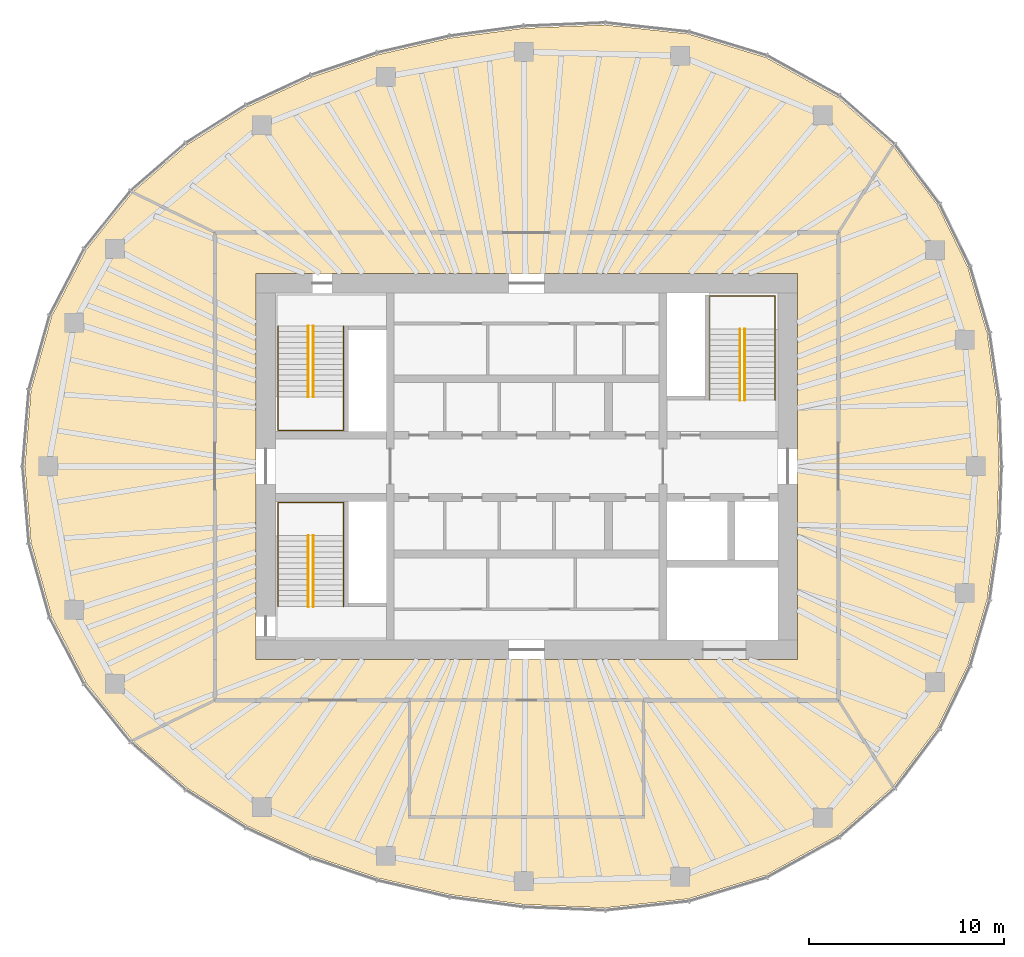
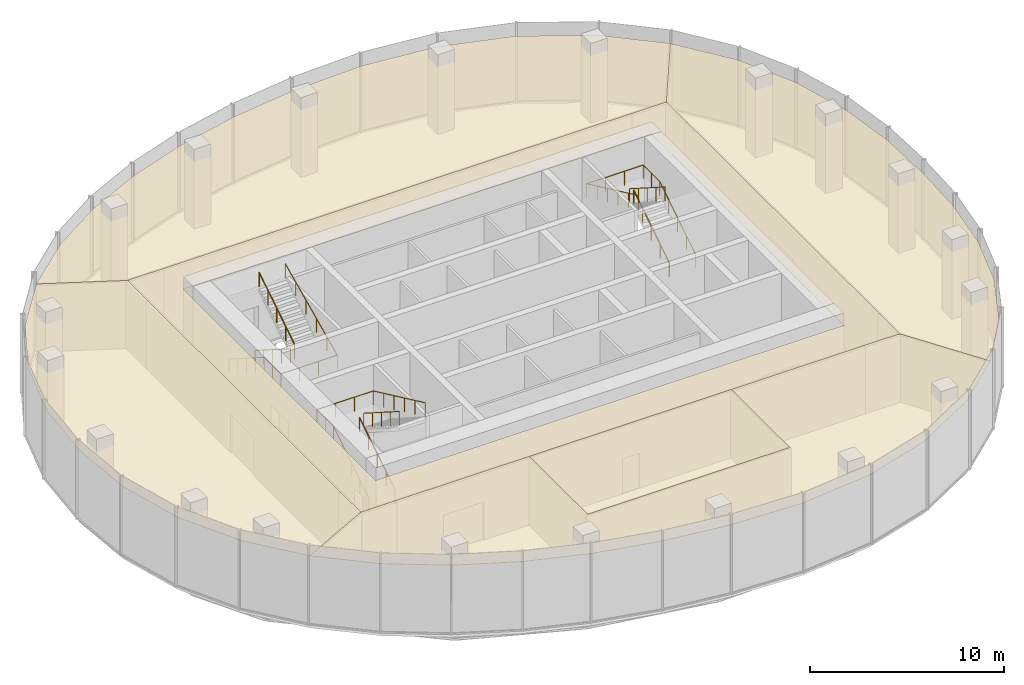
# One storey, part 11 of 11: 9 railings, 6 coverings.
"""IFC4 building model written with IfcOpenShell, lengths in metres."""

from ifc_helpers import new_model, si_unit, direction, frame, origin, origin_2d, place, context, subcontext, project, spatial, polyline, circle, outline, extrude, material, layer, layer_set, type_object, element, save


model = new_model("IFC4")

# Units and contexts
model_context = context("Model", 3, precision=1e-05, world=origin(), true_north=direction((0.0, 1.0)))
body_context = subcontext(model_context, "Body", "Model", "MODEL_VIEW")
ifc_project = project(units=[si_unit("LENGTHUNIT", "METRE"), si_unit("AREAUNIT", "SQUARE_METRE"), si_unit("VOLUMEUNIT", "CUBIC_METRE"), si_unit("PLANEANGLEUNIT", "RADIAN"), si_unit("MASSUNIT", "GRAM", prefix="KILO")], contexts=[model_context])

# Site, building, storey
site_placement = place(None, origin())
site = spatial("IfcSite", under=ifc_project, at=site_placement, CompositionType="ELEMENT")
building_placement = place(site_placement, origin())
building = spatial("IfcBuilding", under=site, at=building_placement, Name="Ghaith Harvest Tower", CompositionType="ELEMENT")
storey_placement = place(building_placement, frame((0.0, 0.0, 344.199951171875)))
storey = spatial("IfcBuildingStorey", under=building, at=storey_placement, Name="L77", CompositionType="ELEMENT", Elevation=344.199951171875)

# Coverings
ifc_material_1 = material(Name="Mineral fibre ceiling tile", Category="gypsum")
ifc_layer = layer(ifc_material_1, 0.02490234375)
ifc_layer_set = layer_set([ifc_layer], Name="CEILING C2")
covering_type = type_object("IfcCoveringType", Name="CEILING C2", PredefinedType="CEILING", material=ifc_layer_set)
covering_1_placement = place(storey_placement, frame((0.0, 0.0, 4.199951171875)))
element("IfcCovering", 1, at=covering_1_placement, inside=storey, type_object=covering_type, Name="Ceiling L77-01", PredefinedType="CEILING", context=body_context, shape_type="SweptSolid", body=[
    extrude(outline(polyline([(-6.0, -18.0), (6.0, -18.0), (6.0, -12.0), (-6.0, -12.0), (-6.0, -18.0)])), origin(), (0.0, 0.0, 1.0), 0.025146484375),
])
covering_2_placement = place(storey_placement, frame((0.0, 0.0, 4.199951171875)))
element("IfcCovering", 2, at=covering_2_placement, inside=storey, type_object=covering_type, Name="Ceiling L77-C1", PredefinedType="CEILING", context=body_context, shape_type="SweptSolid", body=[
    extrude(outline(polyline([(16.0, -12.0), (-16.0, -12.0), (-16.0, 12.0), (16.0, 12.0), (16.0, -12.0)]), holes=[polyline([(-13.89990234375, 9.89990234375), (-13.89990234375, -9.89990234375), (13.89990234375, -9.89990234375), (13.89990234375, 9.89990234375), (-13.89990234375, 9.89990234375)])]), origin(), (0.0, 0.0, 1.0), 0.025146484375),
])
covering_3_placement = place(storey_placement, frame((0.0, 0.0, 4.199951171875)))
element("IfcCovering", 3, at=covering_3_placement, inside=storey, type_object=covering_type, Name="Ceiling L77-N1", PredefinedType="CEILING", context=body_context, shape_type="SweptSolid", body=[
    extrude(outline(polyline([(-17.40771484375, 16.518310546875), (-14.331298828125, 18.452880859375), (-11.009521484375, 19.98779296875), (-7.6298828125, 21.12548828125), (-3.92529296875, 21.98046875), (-0.15380859375, 22.486083984375), (4.016845703125, 22.658447265625), (8.2978515625, 22.1962890625), (12.273681640625, 20.98828125), (15.971923828125, 18.940185546875), (18.810791015625, 16.4482421875), (16.0, 12.0), (-16.0, 12.0), (-20.225830078125, 14.0732421875), (-17.40771484375, 16.518310546875)])), origin(), (0.0, 0.0, 1.0), 0.025146484375),
])
covering_4_placement = place(storey_placement, frame((0.0, 0.0, 4.199951171875)))
element("IfcCovering", 4, at=covering_4_placement, inside=storey, type_object=covering_type, Name="Ceiling L77-E1", PredefinedType="CEILING", context=body_context, shape_type="SweptSolid", body=[
    extrude(outline(polyline([(21.087890625, -13.42041015625), (18.810791015625, -16.4482421875), (16.0, -12.0), (16.0, 12.0), (18.810791015625, 16.4482421875), (21.087890625, 13.42041015625), (22.644775390625, 10.222900390625), (23.6376953125, 6.831787109375), (24.129150390625, 3.4169921875), (24.25, 0.0), (24.129150390625, -3.4169921875), (23.6376953125, -6.831787109375), (22.644775390625, -10.222900390625), (21.087890625, -13.42041015625)])), origin(), (0.0, 0.0, 1.0), 0.025146484375),
])
covering_5_placement = place(storey_placement, frame((0.0, 0.0, 4.199951171875)))
element("IfcCovering", 5, at=covering_5_placement, inside=storey, type_object=covering_type, Name="Ceiling L77-S1", PredefinedType="CEILING", context=body_context, shape_type="SweptSolid", body=[
    extrude(outline(polyline([(15.971923828125, -18.940185546875), (12.273681640625, -20.98828125), (8.2978515625, -22.1962890625), (4.016845703125, -22.658447265625), (-0.15380859375, -22.486083984375), (-3.92529296875, -21.98046875), (-7.6298828125, -21.12548828125), (-11.009521484375, -19.98779296875), (-14.331298828125, -18.452880859375), (-17.40771484375, -16.518310546875), (-20.225830078125, -14.0732421875), (-16.0, -12.0), (-6.0, -12.0), (-6.0, -18.0), (6.0, -18.0), (6.0, -12.0), (16.0, -12.0), (18.810791015625, -16.4482421875), (15.971923828125, -18.940185546875)])), origin(), (0.0, 0.0, 1.0), 0.025146484375),
])
covering_6_placement = place(storey_placement, frame((0.0, 0.0, 4.199951171875)))
element("IfcCovering", 6, at=covering_6_placement, inside=storey, type_object=covering_type, Name="Ceiling L77-W1", PredefinedType="CEILING", context=body_context, shape_type="SweptSolid", body=[
    extrude(outline(polyline([(-22.5986328125, -11.12353515625), (-24.368408203125, -7.722900390625), (-25.43310546875, -3.93359375), (-25.75, 0.0), (-25.43310546875, 3.93359375), (-24.368408203125, 7.722900390625), (-22.5986328125, 11.12353515625), (-20.225830078125, 14.0732421875), (-16.0, 12.0), (-16.0, -12.0), (-20.225830078125, -14.0732421875), (-22.5986328125, -11.12353515625)])), origin(), (0.0, 0.0, 1.0), 0.025146484375),
])

# Railings
ifc_material_2 = material(Name="Steel, black powder-coated", Category="steel")
railing_type = type_object("IfcRailingType", Name="HANDRAIL HR1", PredefinedType="HANDRAIL", material=ifc_material_2)
railing_1_placement = place(storey_placement, frame((-11.199951171875, 7.199951171875, 0.1787109375)))
element("IfcRailing", 7, at=railing_1_placement, inside=storey, type_object=railing_type, Name="Handrail HR1 stair ST1 L77 flight 1 inner", PredefinedType="HANDRAIL", context=body_context, shape_type="SweptSolid", body=[
    extrude(circle(Radius=0.02392578125, at=origin_2d()), frame((0.0, 0.0, 0.8759765625), z_axis=(0.0, -0.843137146238, 0.537698570422), x_axis=(1.0, 0.0, 0.0)), (0.0, 0.0, 1.0), 4.317138671875),
    extrude(circle(Radius=0.02099609375, at=origin_2d()), origin(), (0.0, 0.0, 1.0), 0.851806640625),
    extrude(circle(Radius=0.02099609375, at=origin_2d()), frame((0.0, -0.909912109375, 0.580322265625)), (0.0, 0.0, 1.0), 0.851806640625),
    extrude(circle(Radius=0.02099609375, at=origin_2d()), frame((0.0, -1.81982421875, 1.16064453125)), (0.0, 0.0, 1.0), 0.851806640625),
    extrude(circle(Radius=0.02099609375, at=origin_2d()), frame((0.0, -2.72998046875, 1.740966796875)), (0.0, 0.0, 1.0), 0.851806640625),
    extrude(circle(Radius=0.02099609375, at=origin_2d()), frame((0.0, -3.639892578125, 2.3212890625)), (0.0, 0.0, 1.0), 0.851806640625),
])
railing_2_placement = place(storey_placement, frame((-10.949951171875, 3.56005859375, 2.6787109375)))
element("IfcRailing", 8, at=railing_2_placement, inside=storey, type_object=railing_type, Name="Handrail HR1 stair ST1 L77 flight 2 inner", PredefinedType="HANDRAIL", context=body_context, shape_type="SweptSolid", body=[
    extrude(circle(Radius=0.02392578125, at=origin_2d()), frame((0.0, 0.0, 0.8759765625), z_axis=(0.0, 0.843137146238, 0.537698570422), x_axis=(-1.0, 0.0, 0.0)), (0.0, 0.0, 1.0), 4.317138671875),
    extrude(circle(Radius=0.02099609375, at=origin_2d()), origin(), (0.0, 0.0, 1.0), 0.851806640625),
    extrude(circle(Radius=0.02099609375, at=origin_2d()), frame((0.0, 0.909912109375, 0.580322265625)), (0.0, 0.0, 1.0), 0.851806640625),
    extrude(circle(Radius=0.02099609375, at=origin_2d()), frame((0.0, 1.81982421875, 1.16064453125)), (0.0, 0.0, 1.0), 0.851806640625),
    extrude(circle(Radius=0.02099609375, at=origin_2d()), frame((0.0, 2.72998046875, 1.740966796875)), (0.0, 0.0, 1.0), 0.851806640625),
    extrude(circle(Radius=0.02099609375, at=origin_2d()), frame((0.0, 3.639892578125, 2.3212890625)), (0.0, 0.0, 1.0), 0.851806640625),
])
railing_3_placement = place(storey_placement, frame((-12.75, 7.199951171875, 0.1787109375)))
element("IfcRailing", 9, at=railing_3_placement, inside=storey, type_object=railing_type, Name="Handrail HR1 stair ST1 L77 wall side", PredefinedType="HANDRAIL", context=body_context, shape_type="SweptSolid", body=[
    extrude(circle(Radius=0.02392578125, at=origin_2d()), frame((0.0, 0.0, 0.8759765625), z_axis=(0.0, -0.843137146238, 0.537698570422), x_axis=(1.0, 0.0, 0.0)), (0.0, 0.0, 1.0), 4.317138671875),
    extrude(circle(Radius=0.02392578125, at=origin_2d()), frame((0.0, -3.639892578125, 3.197265625), z_axis=(0.0, -1.0, 0.0), x_axis=(1.0, 0.0, 0.0)), (0.0, 0.0, 1.0), 1.7099609375),
    extrude(circle(Radius=0.02392578125, at=origin_2d()), frame((0.0, -5.349853515625, 3.197265625), z_axis=(1.0, 0.0, 0.0), x_axis=(0.0, 1.0, 0.0)), (0.0, 0.0, 1.0), 3.35009765625),
    extrude(circle(Radius=0.02392578125, at=origin_2d()), frame((3.35009765625, -5.349853515625, 3.197265625), z_axis=(0.0, 0.905962265858, 0.423358444868), x_axis=(-1.0, 0.0, 0.0)), (0.0, 0.0, 1.0), 5.9052734375),
    extrude(circle(Radius=0.02099609375, at=origin_2d()), origin(), (0.0, 0.0, 1.0), 0.851806640625),
    extrude(circle(Radius=0.02099609375, at=origin_2d()), frame((0.0, -0.909912109375, 0.580322265625)), (0.0, 0.0, 1.0), 0.851806640625),
    extrude(circle(Radius=0.02099609375, at=origin_2d()), frame((0.0, -1.81982421875, 1.16064453125)), (0.0, 0.0, 1.0), 0.851806640625),
    extrude(circle(Radius=0.02099609375, at=origin_2d()), frame((0.0, -2.72998046875, 1.740966796875)), (0.0, 0.0, 1.0), 0.851806640625),
    extrude(circle(Radius=0.02099609375, at=origin_2d()), frame((0.0, -3.639892578125, 2.3212890625)), (0.0, 0.0, 1.0), 0.851806640625),
    extrude(circle(Radius=0.02099609375, at=origin_2d()), frame((0.0, -4.494873046875, 2.3212890625)), (0.0, 0.0, 1.0), 0.851806640625),
    extrude(circle(Radius=0.02099609375, at=origin_2d()), frame((0.0, -5.349853515625, 2.3212890625)), (0.0, 0.0, 1.0), 0.851806640625),
    extrude(circle(Radius=0.02099609375, at=origin_2d()), frame((1.11669921875, -5.349853515625, 2.3212890625)), (0.0, 0.0, 1.0), 0.851806640625),
    extrude(circle(Radius=0.02099609375, at=origin_2d()), frame((2.2333984375, -5.349853515625, 2.3212890625)), (0.0, 0.0, 1.0), 0.851806640625),
    extrude(circle(Radius=0.02099609375, at=origin_2d()), frame((3.35009765625, -5.349853515625, 2.3212890625)), (0.0, 0.0, 1.0), 0.851806640625),
    extrude(circle(Radius=0.02099609375, at=origin_2d()), frame((3.35009765625, -4.27978515625, 2.8212890625)), (0.0, 0.0, 1.0), 0.851806640625),
    extrude(circle(Radius=0.02099609375, at=origin_2d()), frame((3.35009765625, -3.2099609375, 3.3212890625)), (0.0, 0.0, 1.0), 0.851806640625),
    extrude(circle(Radius=0.02099609375, at=origin_2d()), frame((3.35009765625, -2.139892578125, 3.8212890625)), (0.0, 0.0, 1.0), 0.851806640625),
    extrude(circle(Radius=0.02099609375, at=origin_2d()), frame((3.35009765625, -1.070068359375, 4.3212890625)), (0.0, 0.0, 1.0), 0.851806640625),
    extrude(circle(Radius=0.02099609375, at=origin_2d()), frame((3.35009765625, 0.0, 4.8212890625)), (0.0, 0.0, 1.0), 0.851806640625),
])
railing_4_placement = place(storey_placement, frame((-11.199951171875, -7.199951171875, 0.1787109375)))
element("IfcRailing", 10, at=railing_4_placement, inside=storey, type_object=railing_type, Name="Handrail HR1 stair ST3 L77 flight 1 inner", PredefinedType="HANDRAIL", context=body_context, shape_type="SweptSolid", body=[
    extrude(circle(Radius=0.02392578125, at=origin_2d()), frame((0.0, 0.0, 0.8759765625), z_axis=(0.0, 0.843137146238, 0.537698570422), x_axis=(-1.0, 0.0, 0.0)), (0.0, 0.0, 1.0), 4.317138671875),
    extrude(circle(Radius=0.02099609375, at=origin_2d()), origin(), (0.0, 0.0, 1.0), 0.851806640625),
    extrude(circle(Radius=0.02099609375, at=origin_2d()), frame((0.0, 0.909912109375, 0.580322265625)), (0.0, 0.0, 1.0), 0.851806640625),
    extrude(circle(Radius=0.02099609375, at=origin_2d()), frame((0.0, 1.81982421875, 1.16064453125)), (0.0, 0.0, 1.0), 0.851806640625),
    extrude(circle(Radius=0.02099609375, at=origin_2d()), frame((0.0, 2.72998046875, 1.740966796875)), (0.0, 0.0, 1.0), 0.851806640625),
    extrude(circle(Radius=0.02099609375, at=origin_2d()), frame((0.0, 3.639892578125, 2.3212890625)), (0.0, 0.0, 1.0), 0.851806640625),
])
railing_5_placement = place(storey_placement, frame((-10.949951171875, -3.56005859375, 2.6787109375)))
element("IfcRailing", 11, at=railing_5_placement, inside=storey, type_object=railing_type, Name="Handrail HR1 stair ST3 L77 flight 2 inner", PredefinedType="HANDRAIL", context=body_context, shape_type="SweptSolid", body=[
    extrude(circle(Radius=0.02392578125, at=origin_2d()), frame((0.0, 0.0, 0.8759765625), z_axis=(0.0, -0.843137146238, 0.537698570422), x_axis=(1.0, 0.0, 0.0)), (0.0, 0.0, 1.0), 4.317138671875),
    extrude(circle(Radius=0.02099609375, at=origin_2d()), origin(), (0.0, 0.0, 1.0), 0.851806640625),
    extrude(circle(Radius=0.02099609375, at=origin_2d()), frame((0.0, -0.909912109375, 0.580322265625)), (0.0, 0.0, 1.0), 0.851806640625),
    extrude(circle(Radius=0.02099609375, at=origin_2d()), frame((0.0, -1.81982421875, 1.16064453125)), (0.0, 0.0, 1.0), 0.851806640625),
    extrude(circle(Radius=0.02099609375, at=origin_2d()), frame((0.0, -2.72998046875, 1.740966796875)), (0.0, 0.0, 1.0), 0.851806640625),
    extrude(circle(Radius=0.02099609375, at=origin_2d()), frame((0.0, -3.639892578125, 2.3212890625)), (0.0, 0.0, 1.0), 0.851806640625),
])
railing_6_placement = place(storey_placement, frame((-12.75, -7.199951171875, 0.1787109375)))
element("IfcRailing", 12, at=railing_6_placement, inside=storey, type_object=railing_type, Name="Handrail HR1 stair ST3 L77 wall side", PredefinedType="HANDRAIL", context=body_context, shape_type="SweptSolid", body=[
    extrude(circle(Radius=0.02392578125, at=origin_2d()), frame((0.0, 0.0, 0.8759765625), z_axis=(0.0, 0.843137146238, 0.537698570422), x_axis=(-1.0, 0.0, 0.0)), (0.0, 0.0, 1.0), 4.317138671875),
    extrude(circle(Radius=0.02392578125, at=origin_2d()), frame((0.0, 3.639892578125, 3.197265625), z_axis=(0.0, 1.0, 0.0), x_axis=(-1.0, 0.0, 0.0)), (0.0, 0.0, 1.0), 1.7099609375),
    extrude(circle(Radius=0.02392578125, at=origin_2d()), frame((0.0, 5.349853515625, 3.197265625), z_axis=(1.0, 0.0, 0.0), x_axis=(0.0, 1.0, 0.0)), (0.0, 0.0, 1.0), 3.35009765625),
    extrude(circle(Radius=0.02392578125, at=origin_2d()), frame((3.35009765625, 5.349853515625, 3.197265625), z_axis=(0.0, -0.905962265858, 0.423358444868), x_axis=(1.0, 0.0, 0.0)), (0.0, 0.0, 1.0), 5.9052734375),
    extrude(circle(Radius=0.02099609375, at=origin_2d()), origin(), (0.0, 0.0, 1.0), 0.851806640625),
    extrude(circle(Radius=0.02099609375, at=origin_2d()), frame((0.0, 0.909912109375, 0.580322265625)), (0.0, 0.0, 1.0), 0.851806640625),
    extrude(circle(Radius=0.02099609375, at=origin_2d()), frame((0.0, 1.81982421875, 1.16064453125)), (0.0, 0.0, 1.0), 0.851806640625),
    extrude(circle(Radius=0.02099609375, at=origin_2d()), frame((0.0, 2.72998046875, 1.740966796875)), (0.0, 0.0, 1.0), 0.851806640625),
    extrude(circle(Radius=0.02099609375, at=origin_2d()), frame((0.0, 3.639892578125, 2.3212890625)), (0.0, 0.0, 1.0), 0.851806640625),
    extrude(circle(Radius=0.02099609375, at=origin_2d()), frame((0.0, 4.494873046875, 2.3212890625)), (0.0, 0.0, 1.0), 0.851806640625),
    extrude(circle(Radius=0.02099609375, at=origin_2d()), frame((0.0, 5.349853515625, 2.3212890625)), (0.0, 0.0, 1.0), 0.851806640625),
    extrude(circle(Radius=0.02099609375, at=origin_2d()), frame((1.11669921875, 5.349853515625, 2.3212890625)), (0.0, 0.0, 1.0), 0.851806640625),
    extrude(circle(Radius=0.02099609375, at=origin_2d()), frame((2.2333984375, 5.349853515625, 2.3212890625)), (0.0, 0.0, 1.0), 0.851806640625),
    extrude(circle(Radius=0.02099609375, at=origin_2d()), frame((3.35009765625, 5.349853515625, 2.3212890625)), (0.0, 0.0, 1.0), 0.851806640625),
    extrude(circle(Radius=0.02099609375, at=origin_2d()), frame((3.35009765625, 4.27978515625, 2.8212890625)), (0.0, 0.0, 1.0), 0.851806640625),
    extrude(circle(Radius=0.02099609375, at=origin_2d()), frame((3.35009765625, 3.2099609375, 3.3212890625)), (0.0, 0.0, 1.0), 0.851806640625),
    extrude(circle(Radius=0.02099609375, at=origin_2d()), frame((3.35009765625, 2.139892578125, 3.8212890625)), (0.0, 0.0, 1.0), 0.851806640625),
    extrude(circle(Radius=0.02099609375, at=origin_2d()), frame((3.35009765625, 1.070068359375, 4.3212890625)), (0.0, 0.0, 1.0), 0.851806640625),
    extrude(circle(Radius=0.02099609375, at=origin_2d()), frame((3.35009765625, 0.0, 4.8212890625)), (0.0, 0.0, 1.0), 0.851806640625),
])
railing_7_placement = place(storey_placement, frame((11.199951171875, 3.39990234375, 0.1787109375)))
element("IfcRailing", 13, at=railing_7_placement, inside=storey, type_object=railing_type, Name="Handrail HR1 stair ST2 L77 flight 1 inner", PredefinedType="HANDRAIL", context=body_context, shape_type="SweptSolid", body=[
    extrude(circle(Radius=0.02392578125, at=origin_2d()), frame((0.0, 0.0, 0.8759765625), z_axis=(0.0, 0.843153495434, 0.537672933239), x_axis=(-1.0, 0.0, 0.0)), (0.0, 0.0, 1.0), 4.3173828125),
    extrude(circle(Radius=0.02099609375, at=origin_2d()), origin(), (0.0, 0.0, 1.0), 0.851806640625),
    extrude(circle(Radius=0.02099609375, at=origin_2d()), frame((0.0, 0.91015625, 0.580322265625)), (0.0, 0.0, 1.0), 0.851806640625),
    extrude(circle(Radius=0.02099609375, at=origin_2d()), frame((0.0, 1.820068359375, 1.16064453125)), (0.0, 0.0, 1.0), 0.851806640625),
    extrude(circle(Radius=0.02099609375, at=origin_2d()), frame((0.0, 2.72998046875, 1.740966796875)), (0.0, 0.0, 1.0), 0.851806640625),
    extrude(circle(Radius=0.02099609375, at=origin_2d()), frame((0.0, 3.64013671875, 2.3212890625)), (0.0, 0.0, 1.0), 0.851806640625),
])
railing_8_placement = place(storey_placement, frame((10.949951171875, 7.0400390625, 2.6787109375)))
element("IfcRailing", 14, at=railing_8_placement, inside=storey, type_object=railing_type, Name="Handrail HR1 stair ST2 L77 flight 2 inner", PredefinedType="HANDRAIL", context=body_context, shape_type="SweptSolid", body=[
    extrude(circle(Radius=0.02392578125, at=origin_2d()), frame((0.0, 0.0, 0.8759765625), z_axis=(0.0, -0.843153495434, 0.537672933239), x_axis=(1.0, 0.0, 0.0)), (0.0, 0.0, 1.0), 4.3173828125),
    extrude(circle(Radius=0.02099609375, at=origin_2d()), origin(), (0.0, 0.0, 1.0), 0.851806640625),
    extrude(circle(Radius=0.02099609375, at=origin_2d()), frame((0.0, -0.91015625, 0.580322265625)), (0.0, 0.0, 1.0), 0.851806640625),
    extrude(circle(Radius=0.02099609375, at=origin_2d()), frame((0.0, -1.820068359375, 1.16064453125)), (0.0, 0.0, 1.0), 0.851806640625),
    extrude(circle(Radius=0.02099609375, at=origin_2d()), frame((0.0, -2.72998046875, 1.740966796875)), (0.0, 0.0, 1.0), 0.851806640625),
    extrude(circle(Radius=0.02099609375, at=origin_2d()), frame((0.0, -3.64013671875, 2.3212890625)), (0.0, 0.0, 1.0), 0.851806640625),
])
railing_9_placement = place(storey_placement, frame((12.75, 3.39990234375, 0.1787109375)))
element("IfcRailing", 15, at=railing_9_placement, inside=storey, type_object=railing_type, Name="Handrail HR1 stair ST2 L77 wall side", PredefinedType="HANDRAIL", context=body_context, shape_type="SweptSolid", body=[
    extrude(circle(Radius=0.02392578125, at=origin_2d()), frame((0.0, 0.0, 0.8759765625), z_axis=(0.0, 0.843153495434, 0.537672933239), x_axis=(-1.0, 0.0, 0.0)), (0.0, 0.0, 1.0), 4.3173828125),
    extrude(circle(Radius=0.02392578125, at=origin_2d()), frame((0.0, 3.64013671875, 3.197265625), z_axis=(0.0, 1.0, 0.0), x_axis=(-1.0, 0.0, 0.0)), (0.0, 0.0, 1.0), 1.7099609375),
    extrude(circle(Radius=0.02392578125, at=origin_2d()), frame((0.0, 5.35009765625, 3.197265625), z_axis=(-1.0, 0.0, 0.0), x_axis=(0.0, -1.0, 0.0)), (0.0, 0.0, 1.0), 3.35009765625),
    extrude(circle(Radius=0.02392578125, at=origin_2d()), frame((-3.35009765625, 5.35009765625, 3.197265625), z_axis=(0.0, -0.905969675553, 0.423342588193), x_axis=(1.0, 0.0, 0.0)), (0.0, 0.0, 1.0), 5.9052734375),
    extrude(circle(Radius=0.02099609375, at=origin_2d()), origin(), (0.0, 0.0, 1.0), 0.851806640625),
    extrude(circle(Radius=0.02099609375, at=origin_2d()), frame((0.0, 0.91015625, 0.580322265625)), (0.0, 0.0, 1.0), 0.851806640625),
    extrude(circle(Radius=0.02099609375, at=origin_2d()), frame((0.0, 1.820068359375, 1.16064453125)), (0.0, 0.0, 1.0), 0.851806640625),
    extrude(circle(Radius=0.02099609375, at=origin_2d()), frame((0.0, 2.72998046875, 1.740966796875)), (0.0, 0.0, 1.0), 0.851806640625),
    extrude(circle(Radius=0.02099609375, at=origin_2d()), frame((0.0, 3.64013671875, 2.3212890625)), (0.0, 0.0, 1.0), 0.851806640625),
    extrude(circle(Radius=0.02099609375, at=origin_2d()), frame((0.0, 4.4951171875, 2.3212890625)), (0.0, 0.0, 1.0), 0.851806640625),
    extrude(circle(Radius=0.02099609375, at=origin_2d()), frame((0.0, 5.35009765625, 2.3212890625)), (0.0, 0.0, 1.0), 0.851806640625),
    extrude(circle(Radius=0.02099609375, at=origin_2d()), frame((-1.11669921875, 5.35009765625, 2.3212890625)), (0.0, 0.0, 1.0), 0.851806640625),
    extrude(circle(Radius=0.02099609375, at=origin_2d()), frame((-2.2333984375, 5.35009765625, 2.3212890625)), (0.0, 0.0, 1.0), 0.851806640625),
    extrude(circle(Radius=0.02099609375, at=origin_2d()), frame((-3.35009765625, 5.35009765625, 2.3212890625)), (0.0, 0.0, 1.0), 0.851806640625),
    extrude(circle(Radius=0.02099609375, at=origin_2d()), frame((-3.35009765625, 4.280029296875, 2.8212890625)), (0.0, 0.0, 1.0), 0.851806640625),
    extrude(circle(Radius=0.02099609375, at=origin_2d()), frame((-3.35009765625, 3.2099609375, 3.3212890625)), (0.0, 0.0, 1.0), 0.851806640625),
    extrude(circle(Radius=0.02099609375, at=origin_2d()), frame((-3.35009765625, 2.14013671875, 3.8212890625)), (0.0, 0.0, 1.0), 0.851806640625),
    extrude(circle(Radius=0.02099609375, at=origin_2d()), frame((-3.35009765625, 1.070068359375, 4.3212890625)), (0.0, 0.0, 1.0), 0.851806640625),
    extrude(circle(Radius=0.02099609375, at=origin_2d()), frame((-3.35009765625, 0.0, 4.8212890625)), (0.0, 0.0, 1.0), 0.851806640625),
])

save(model, "model.ifc")
